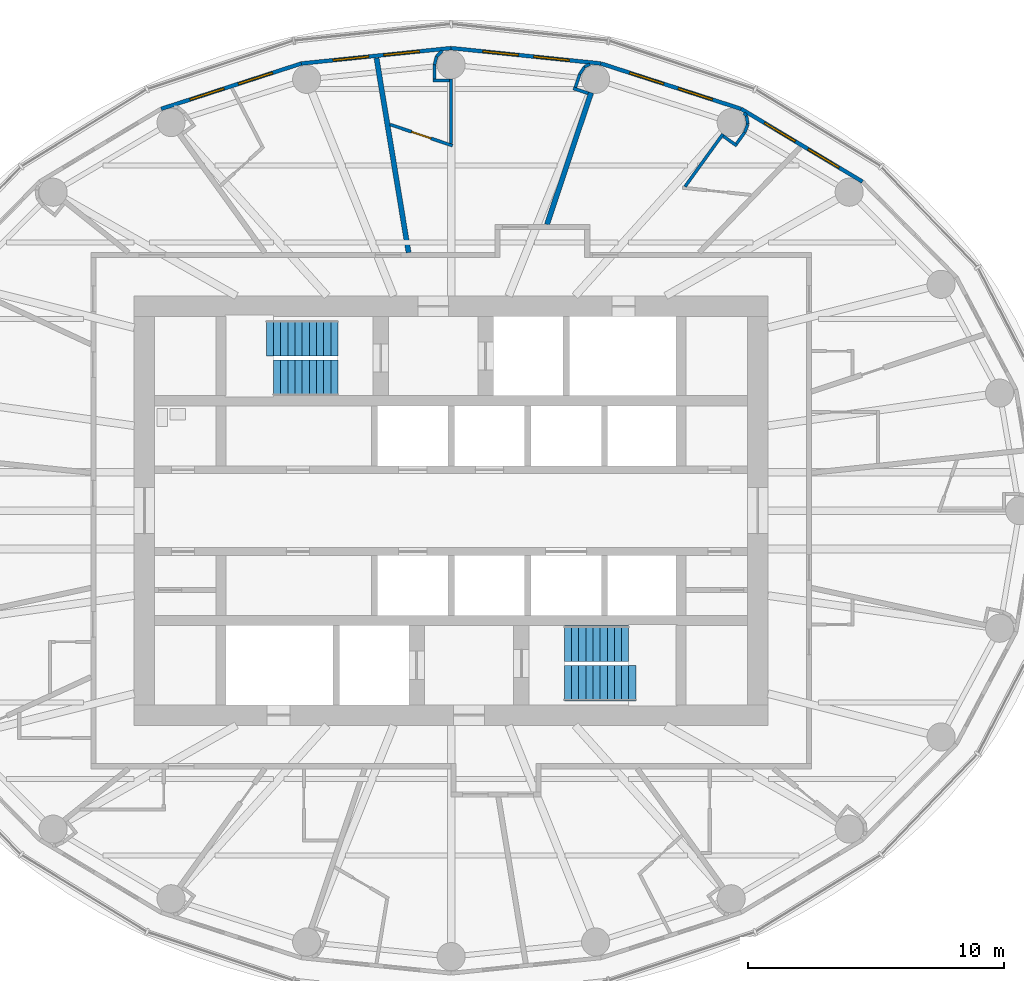
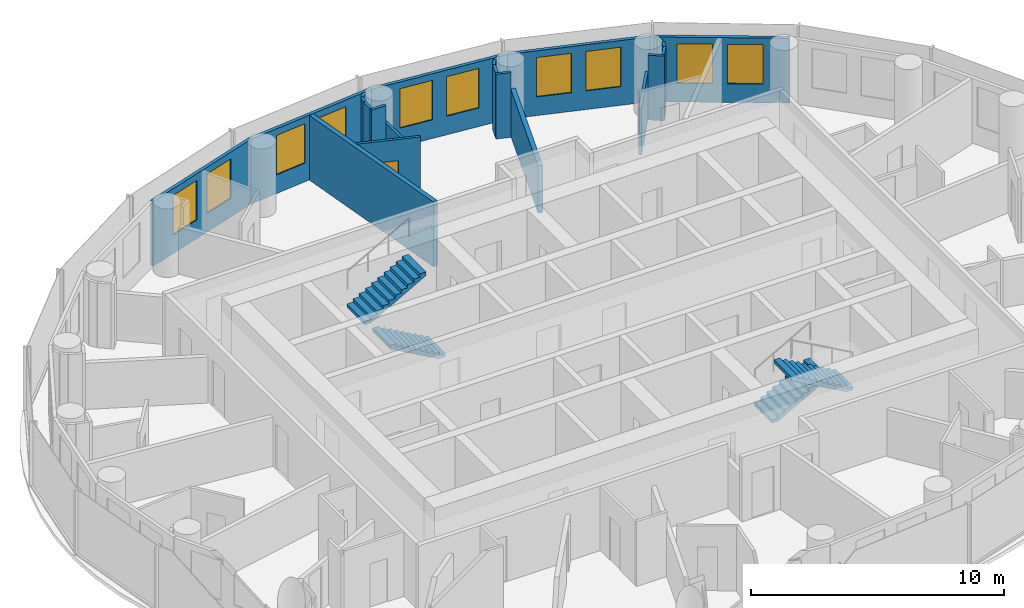
# One storey, part 12 of 14: 23 walls, 10 windows, 4 stair flights, 1 door, 11 openings, 2 elements without a shape of their own.
"""IFC4 building model written with IfcOpenShell, lengths in metres."""

from ifc_helpers import new_model, si_unit, direction, frame, frame_2d, origin, place, context, subcontext, project, spatial, polyline, rectangle, outline, extrude, material, layer, layer_set, type_object, element, fill, aggregate, save


model = new_model("IFC4")

# Units and contexts
model_context = context("Model", 3, precision=1e-05, world=origin(), true_north=direction((0.0, 1.0)))
body_context = subcontext(model_context, "Body", "Model", "MODEL_VIEW")
ifc_project = project(units=[si_unit("LENGTHUNIT", "METRE"), si_unit("AREAUNIT", "SQUARE_METRE"), si_unit("VOLUMEUNIT", "CUBIC_METRE"), si_unit("PLANEANGLEUNIT", "RADIAN"), si_unit("MASSUNIT", "GRAM", prefix="KILO")], contexts=[model_context])

# Site, building, storey
site_placement = place(None, origin())
site = spatial("IfcSite", under=ifc_project, at=site_placement, CompositionType="ELEMENT")
building_placement = place(site_placement, origin())
building = spatial("IfcBuilding", under=site, at=building_placement, Name="Hankou Lantern Tower", CompositionType="ELEMENT")
storey_placement = place(building_placement, frame((0.0, 0.0, 179.699951171875)))
storey = spatial("IfcBuildingStorey", under=building, at=storey_placement, Name="L48", CompositionType="ELEMENT", Elevation=179.699951171875)

# Wall, openings, windows
ifc_material_1 = material(Name="Aluminium spandrel panel on steel studs", Category="steel")
ifc_layer_1 = layer(ifc_material_1, 0.14990234375)
ifc_layer_set_1 = layer_set([ifc_layer_1], Name="Aluminium spandrel panel on steel studs")
wall_type_1 = type_object("IfcWallType", Name="EW1 INNER SKIN WALL 150", PredefinedType="ELEMENTEDWALL", material=ifc_layer_set_1)
wall_1_placement = place(storey_placement, frame((16.0947265625, 12.875732421875, 0.0), z_axis=(0.0, 0.0, 1.0), x_axis=(-0.857695199231, 0.514158482587, 0.0)))
wall_1 = element("IfcWall", 1, at=wall_1_placement, inside=storey, type_object=wall_type_1, Name="Inner skin R04-R05 L48", PredefinedType="ELEMENTEDWALL", context=body_context, shape_type="SweptSolid", body=[
    extrude(rectangle(XDim=5.5361328125, YDim=0.14990234375, at=frame_2d((2.76806640625, 0.0))), origin(), (0.0, 0.0, 1.0), 3.1201171875),
])
opening_1_placement = place(wall_1_placement, frame((1.068115234375, 0.0, 0.89990234375)))
opening_1 = element("IfcOpeningElement", 2, at=opening_1_placement, cuts=wall_1, Name="Opening W3", PredefinedType="OPENING", context=body_context, shape_type="SweptSolid", body=[
    extrude(rectangle(XDim=1.39990234375, YDim=1.89990234375, at=frame_2d((0.699951171875, 0.949951171875))), frame((0.0, 0.0849609375, 0.0), z_axis=(0.0, -1.0, 0.0), x_axis=(1.0, 0.0, 0.0)), (0.0, 0.0, 1.0), 0.169921875),
])
opening_2_placement = place(wall_1_placement, frame((3.068115234375, 0.0, 0.89990234375)))
opening_2 = element("IfcOpeningElement", 3, at=opening_2_placement, cuts=wall_1, Name="Opening W3", PredefinedType="OPENING", context=body_context, shape_type="SweptSolid", body=[
    extrude(rectangle(XDim=1.39990234375, YDim=1.89990234375, at=frame_2d((0.699951171875, 0.949951171875))), frame((0.0, 0.0849609375, 0.0), z_axis=(0.0, -1.0, 0.0), x_axis=(1.0, 0.0, 0.0)), (0.0, 0.0, 1.0), 0.169921875),
])
ifc_material_2 = material(Name="Aluminium framed double glazed window", Category="aluminium")
window_type = type_object("IfcWindowType", Name="W3 GUEST ROOM WINDOW 1400X1900", PartitioningType="DOUBLE_PANEL_VERTICAL", PredefinedType="WINDOW", material=ifc_material_2)
window_1_placement = place(opening_1_placement, origin())
window_1 = element("IfcWindow", 4, at=window_1_placement, inside=storey, type_object=window_type, Name="Window R04.1 L48", OverallHeight=1.89990234375, OverallWidth=1.39990234375, PartitioningType="SINGLE_PANEL", PredefinedType="WINDOW", context=body_context, shape_type="SweptSolid", body=[
    extrude(rectangle(XDim=1.39990234375, YDim=1.89990234375, at=frame_2d((0.699951171875, 0.949951171875))), frame((0.0, 0.030029296875, 0.0), z_axis=(0.0, -1.0, 0.0), x_axis=(1.0, 0.0, 0.0)), (0.0, 0.0, 1.0), 0.06005859375),
])
fill(opening_1, window_1)
window_2_placement = place(opening_2_placement, origin())
window_2 = element("IfcWindow", 5, at=window_2_placement, inside=storey, type_object=window_type, Name="Window R04.2 L48", OverallHeight=1.89990234375, OverallWidth=1.39990234375, PartitioningType="SINGLE_PANEL", PredefinedType="WINDOW", context=body_context, shape_type="SweptSolid", body=[
    extrude(rectangle(XDim=1.39990234375, YDim=1.89990234375, at=frame_2d((0.699951171875, 0.949951171875))), frame((0.0, 0.030029296875, 0.0), z_axis=(0.0, -1.0, 0.0), x_axis=(1.0, 0.0, 0.0)), (0.0, 0.0, 1.0), 0.06005859375),
])
fill(opening_2, window_2)

wall_2_placement = place(storey_placement, frame((11.346435546875, 15.72216796875, 0.0), z_axis=(0.0, 0.0, 1.0), x_axis=(-0.951432482129, 0.307857486429, 0.0)))
wall_2 = element("IfcWall", 6, at=wall_2_placement, inside=storey, type_object=wall_type_1, Name="Inner skin R05-R06 L48", PredefinedType="ELEMENTEDWALL", context=body_context, shape_type="SweptSolid", body=[
    extrude(rectangle(XDim=5.76611328125, YDim=0.14990234375, at=frame_2d((2.883056640625, 0.0))), origin(), (0.0, 0.0, 1.0), 3.1201171875),
])
opening_3_placement = place(wall_2_placement, frame((1.18310546875, 0.0, 0.89990234375)))
opening_3 = element("IfcOpeningElement", 7, at=opening_3_placement, cuts=wall_2, Name="Opening W3", PredefinedType="OPENING", context=body_context, shape_type="SweptSolid", body=[
    extrude(rectangle(XDim=1.39990234375, YDim=1.89990234375, at=frame_2d((0.699951171875, 0.949951171875))), frame((0.0, 0.0849609375, 0.0), z_axis=(0.0, -1.0, 0.0), x_axis=(1.0, 0.0, 0.0)), (0.0, 0.0, 1.0), 0.169921875),
])
opening_4_placement = place(wall_2_placement, frame((3.18310546875, 0.0, 0.89990234375)))
opening_4 = element("IfcOpeningElement", 8, at=opening_4_placement, cuts=wall_2, Name="Opening W3", PredefinedType="OPENING", context=body_context, shape_type="SweptSolid", body=[
    extrude(rectangle(XDim=1.39990234375, YDim=1.89990234375, at=frame_2d((0.699951171875, 0.949951171875))), frame((0.0, 0.0849609375, 0.0), z_axis=(0.0, -1.0, 0.0), x_axis=(1.0, 0.0, 0.0)), (0.0, 0.0, 1.0), 0.169921875),
])
window_3_placement = place(opening_3_placement, origin())
window_3 = element("IfcWindow", 9, at=window_3_placement, inside=storey, type_object=window_type, Name="Window R05.1 L48", OverallHeight=1.89990234375, OverallWidth=1.39990234375, PartitioningType="SINGLE_PANEL", PredefinedType="WINDOW", context=body_context, shape_type="SweptSolid", body=[
    extrude(rectangle(XDim=1.39990234375, YDim=1.89990234375, at=frame_2d((0.699951171875, 0.949951171875))), frame((0.0, 0.030029296875, 0.0), z_axis=(0.0, -1.0, 0.0), x_axis=(1.0, 0.0, 0.0)), (0.0, 0.0, 1.0), 0.06005859375),
])
fill(opening_3, window_3)
window_4_placement = place(opening_4_placement, origin())
window_4 = element("IfcWindow", 10, at=window_4_placement, inside=storey, type_object=window_type, Name="Window R05.2 L48", OverallHeight=1.89990234375, OverallWidth=1.39990234375, PartitioningType="SINGLE_PANEL", PredefinedType="WINDOW", context=body_context, shape_type="SweptSolid", body=[
    extrude(rectangle(XDim=1.39990234375, YDim=1.89990234375, at=frame_2d((0.699951171875, 0.949951171875))), frame((0.0, 0.030029296875, 0.0), z_axis=(0.0, -1.0, 0.0), x_axis=(1.0, 0.0, 0.0)), (0.0, 0.0, 1.0), 0.06005859375),
])
fill(opening_4, window_4)

wall_3_placement = place(storey_placement, frame((5.8603515625, 17.497314453125, 0.0), z_axis=(0.0, 0.0, 1.0), x_axis=(-0.994751738032, 0.102318032045, 0.0)))
wall_3 = element("IfcWall", 11, at=wall_3_placement, inside=storey, type_object=wall_type_1, Name="Inner skin R06-R07 L48", PredefinedType="ELEMENTEDWALL", context=body_context, shape_type="SweptSolid", body=[
    extrude(rectangle(XDim=5.891357421875, YDim=0.14990234375, at=frame_2d((2.94580078125, 0.0))), origin(), (0.0, 0.0, 1.0), 3.1201171875),
])
opening_5_placement = place(wall_3_placement, frame((1.24560546875, 0.0, 0.89990234375)))
opening_5 = element("IfcOpeningElement", 12, at=opening_5_placement, cuts=wall_3, Name="Opening W3", PredefinedType="OPENING", context=body_context, shape_type="SweptSolid", body=[
    extrude(rectangle(XDim=1.39990234375, YDim=1.89990234375, at=frame_2d((0.699951171875, 0.949951171875))), frame((0.0, 0.0849609375, 0.0), z_axis=(0.0, -1.0, 0.0), x_axis=(1.0, 0.0, 0.0)), (0.0, 0.0, 1.0), 0.169921875),
])
opening_6_placement = place(wall_3_placement, frame((3.24560546875, 0.0, 0.89990234375)))
opening_6 = element("IfcOpeningElement", 13, at=opening_6_placement, cuts=wall_3, Name="Opening W3", PredefinedType="OPENING", context=body_context, shape_type="SweptSolid", body=[
    extrude(rectangle(XDim=1.39990234375, YDim=1.89990234375, at=frame_2d((0.699951171875, 0.949951171875))), frame((0.0, 0.0849609375, 0.0), z_axis=(0.0, -1.0, 0.0), x_axis=(1.0, 0.0, 0.0)), (0.0, 0.0, 1.0), 0.169921875),
])
window_5_placement = place(opening_5_placement, origin())
window_5 = element("IfcWindow", 14, at=window_5_placement, inside=storey, type_object=window_type, Name="Window R06.1 L48", OverallHeight=1.89990234375, OverallWidth=1.39990234375, PartitioningType="SINGLE_PANEL", PredefinedType="WINDOW", context=body_context, shape_type="SweptSolid", body=[
    extrude(rectangle(XDim=1.39990234375, YDim=1.89990234375, at=frame_2d((0.699951171875, 0.949951171875))), frame((0.0, 0.030029296875, 0.0), z_axis=(0.0, -1.0, 0.0), x_axis=(1.0, 0.0, 0.0)), (0.0, 0.0, 1.0), 0.06005859375),
])
fill(opening_5, window_5)
window_6_placement = place(opening_6_placement, origin())
window_6 = element("IfcWindow", 15, at=window_6_placement, inside=storey, type_object=window_type, Name="Window R06.2 L48", OverallHeight=1.89990234375, OverallWidth=1.39990234375, PartitioningType="SINGLE_PANEL", PredefinedType="WINDOW", context=body_context, shape_type="SweptSolid", body=[
    extrude(rectangle(XDim=1.39990234375, YDim=1.89990234375, at=frame_2d((0.699951171875, 0.949951171875))), frame((0.0, 0.030029296875, 0.0), z_axis=(0.0, -1.0, 0.0), x_axis=(1.0, 0.0, 0.0)), (0.0, 0.0, 1.0), 0.06005859375),
])
fill(opening_6, window_6)

wall_4_placement = place(storey_placement, frame((0.0, 18.10009765625, 0.0), z_axis=(0.0, 0.0, 1.0), x_axis=(-0.994751738032, -0.102318032045, 0.0)))
wall_4 = element("IfcWall", 16, at=wall_4_placement, inside=storey, type_object=wall_type_1, Name="Inner skin R07-R08 L48", PredefinedType="ELEMENTEDWALL", context=body_context, shape_type="SweptSolid", body=[
    extrude(rectangle(XDim=5.891357421875, YDim=0.14990234375, at=frame_2d((2.94580078125, 0.0))), origin(), (0.0, 0.0, 1.0), 3.1201171875),
])
opening_7_placement = place(wall_4_placement, frame((1.24560546875, 0.0, 0.89990234375)))
opening_7 = element("IfcOpeningElement", 17, at=opening_7_placement, cuts=wall_4, Name="Opening W3", PredefinedType="OPENING", context=body_context, shape_type="SweptSolid", body=[
    extrude(rectangle(XDim=1.39990234375, YDim=1.89990234375, at=frame_2d((0.699951171875, 0.949951171875))), frame((0.0, 0.0849609375, 0.0), z_axis=(0.0, -1.0, 0.0), x_axis=(1.0, 0.0, 0.0)), (0.0, 0.0, 1.0), 0.169921875),
])
opening_8_placement = place(wall_4_placement, frame((3.24560546875, 0.0, 0.89990234375)))
opening_8 = element("IfcOpeningElement", 18, at=opening_8_placement, cuts=wall_4, Name="Opening W3", PredefinedType="OPENING", context=body_context, shape_type="SweptSolid", body=[
    extrude(rectangle(XDim=1.39990234375, YDim=1.89990234375, at=frame_2d((0.699951171875, 0.949951171875))), frame((0.0, 0.0849609375, 0.0), z_axis=(0.0, -1.0, 0.0), x_axis=(1.0, 0.0, 0.0)), (0.0, 0.0, 1.0), 0.169921875),
])
window_7_placement = place(opening_7_placement, origin())
window_7 = element("IfcWindow", 19, at=window_7_placement, inside=storey, type_object=window_type, Name="Window R07.1 L48", OverallHeight=1.89990234375, OverallWidth=1.39990234375, PartitioningType="SINGLE_PANEL", PredefinedType="WINDOW", context=body_context, shape_type="SweptSolid", body=[
    extrude(rectangle(XDim=1.39990234375, YDim=1.89990234375, at=frame_2d((0.699951171875, 0.949951171875))), frame((0.0, 0.030029296875, 0.0), z_axis=(0.0, -1.0, 0.0), x_axis=(1.0, 0.0, 0.0)), (0.0, 0.0, 1.0), 0.06005859375),
])
fill(opening_7, window_7)
window_8_placement = place(opening_8_placement, origin())
window_8 = element("IfcWindow", 20, at=window_8_placement, inside=storey, type_object=window_type, Name="Window R07.2 L48", OverallHeight=1.89990234375, OverallWidth=1.39990234375, PartitioningType="SINGLE_PANEL", PredefinedType="WINDOW", context=body_context, shape_type="SweptSolid", body=[
    extrude(rectangle(XDim=1.39990234375, YDim=1.89990234375, at=frame_2d((0.699951171875, 0.949951171875))), frame((0.0, 0.030029296875, 0.0), z_axis=(0.0, -1.0, 0.0), x_axis=(1.0, 0.0, 0.0)), (0.0, 0.0, 1.0), 0.06005859375),
])
fill(opening_8, window_8)

wall_5_placement = place(storey_placement, frame((-5.8603515625, 17.497314453125, 0.0), z_axis=(0.0, 0.0, 1.0), x_axis=(-0.951432482129, -0.307857486429, 0.0)))
wall_5 = element("IfcWall", 21, at=wall_5_placement, inside=storey, type_object=wall_type_1, Name="Inner skin R08-R09 L48", PredefinedType="ELEMENTEDWALL", context=body_context, shape_type="SweptSolid", body=[
    extrude(rectangle(XDim=5.76611328125, YDim=0.14990234375, at=frame_2d((2.883056640625, 0.0))), origin(), (0.0, 0.0, 1.0), 3.1201171875),
])
opening_9_placement = place(wall_5_placement, frame((1.18310546875, 0.0, 0.89990234375)))
opening_9 = element("IfcOpeningElement", 22, at=opening_9_placement, cuts=wall_5, Name="Opening W3", PredefinedType="OPENING", context=body_context, shape_type="SweptSolid", body=[
    extrude(rectangle(XDim=1.39990234375, YDim=1.89990234375, at=frame_2d((0.699951171875, 0.949951171875))), frame((0.0, 0.0849609375, 0.0), z_axis=(0.0, -1.0, 0.0), x_axis=(1.0, 0.0, 0.0)), (0.0, 0.0, 1.0), 0.169921875),
])
opening_10_placement = place(wall_5_placement, frame((3.18310546875, 0.0, 0.89990234375)))
opening_10 = element("IfcOpeningElement", 23, at=opening_10_placement, cuts=wall_5, Name="Opening W3", PredefinedType="OPENING", context=body_context, shape_type="SweptSolid", body=[
    extrude(rectangle(XDim=1.39990234375, YDim=1.89990234375, at=frame_2d((0.699951171875, 0.949951171875))), frame((0.0, 0.0849609375, 0.0), z_axis=(0.0, -1.0, 0.0), x_axis=(1.0, 0.0, 0.0)), (0.0, 0.0, 1.0), 0.169921875),
])
window_9_placement = place(opening_9_placement, origin())
window_9 = element("IfcWindow", 24, at=window_9_placement, inside=storey, type_object=window_type, Name="Window R08.1 L48", OverallHeight=1.89990234375, OverallWidth=1.39990234375, PartitioningType="SINGLE_PANEL", PredefinedType="WINDOW", context=body_context, shape_type="SweptSolid", body=[
    extrude(rectangle(XDim=1.39990234375, YDim=1.89990234375, at=frame_2d((0.699951171875, 0.949951171875))), frame((0.0, 0.030029296875, 0.0), z_axis=(0.0, -1.0, 0.0), x_axis=(1.0, 0.0, 0.0)), (0.0, 0.0, 1.0), 0.06005859375),
])
fill(opening_9, window_9)
window_10_placement = place(opening_10_placement, origin())
window_10 = element("IfcWindow", 25, at=window_10_placement, inside=storey, type_object=window_type, Name="Window R08.2 L48", OverallHeight=1.89990234375, OverallWidth=1.39990234375, PartitioningType="SINGLE_PANEL", PredefinedType="WINDOW", context=body_context, shape_type="SweptSolid", body=[
    extrude(rectangle(XDim=1.39990234375, YDim=1.89990234375, at=frame_2d((0.699951171875, 0.949951171875))), frame((0.0, 0.030029296875, 0.0), z_axis=(0.0, -1.0, 0.0), x_axis=(1.0, 0.0, 0.0)), (0.0, 0.0, 1.0), 0.06005859375),
])
fill(opening_10, window_10)

# Walls
ifc_material_3 = material(Name="Masonry lightweight concrete block", Category="masonry")
ifc_layer_2 = layer(ifc_material_3, 0.199951171875)
ifc_layer_set_2 = layer_set([ifc_layer_2], Name="Masonry lightweight concrete block")
wall_type_2 = type_object("IfcWallType", Name="IW1 GUEST ROOM PARTY WALL 200", PredefinedType="PARTITIONING", material=ifc_layer_set_2)
wall_6_placement = place(storey_placement, frame((3.751220703125, 11.199951171875, 0.0), z_axis=(0.0, 0.0, 1.0), x_axis=(0.317614803807, 0.948219824937, 0.0)))
element("IfcWall", 26, at=wall_6_placement, inside=storey, type_object=wall_type_2, Name="Party wall R06", PredefinedType="PARTITIONING", context=body_context, shape_type="SweptSolid", body=[
    extrude(rectangle(XDim=5.4375, YDim=0.199951171875, at=frame_2d((2.71875, 0.0))), origin(), (0.0, 0.0, 1.0), 2.27001953125),
])
wall_7_placement = place(storey_placement, frame((-1.66552734375, 10.10009765625, 0.0), z_axis=(0.0, 0.0, 1.0), x_axis=(-0.162669562982, 0.986680603478, 0.0)))
element("IfcWall", 27, at=wall_7_placement, inside=storey, type_object=wall_type_2, Name="Party wall R07-R08", PredefinedType="PARTITIONING", context=body_context, shape_type="SweptSolid", body=[
    extrude(rectangle(XDim=7.7158203125, YDim=0.199951171875, at=frame_2d((3.85791015625, 0.0))), origin(), (0.0, 0.0, 1.0), 3.1201171875),
])
ifc_material_4 = material(Name="Masonry lightweight concrete block", Category="masonry")
ifc_layer_3 = layer(ifc_material_4, 0.1201171875)
ifc_layer_set_3 = layer_set([ifc_layer_3], Name="Masonry lightweight concrete block")
wall_type_3 = type_object("IfcWallType", Name="IW3 BATHROOM WALL 120", PredefinedType="PARTITIONING", material=ifc_layer_set_3)
wall_8_placement = place(storey_placement, frame((9.1513671875, 12.6806640625, 0.0), z_axis=(0.0, 0.0, 1.0), x_axis=(0.585258912334, 0.8108464747, 0.0)))
element("IfcWall", 28, at=wall_8_placement, inside=storey, type_object=wall_type_3, Name="Box wall 4808 2", PredefinedType="PARTITIONING", context=body_context, shape_type="SweptSolid", body=[
    extrude(rectangle(XDim=2.5400390625, YDim=0.1201171875, at=frame_2d((1.27001953125, 0.0))), origin(), (0.0, 0.0, 1.0), 2.27001953125),
])
wall_9_placement = place(storey_placement, frame((10.6513671875, 14.656494140625, 0.0), z_axis=(0.0, 0.0, 1.0), x_axis=(0.810916094797, -0.585162445137, 0.0)))
element("IfcWall", 29, at=wall_9_placement, inside=storey, type_object=wall_type_3, Name="Column casing 4808 return", PredefinedType="PARTITIONING", context=body_context, shape_type="SweptSolid", body=[
    extrude(rectangle(XDim=0.652099609375, YDim=0.1201171875, at=frame_2d((0.326171875, 0.0))), origin(), (0.0, 0.0, 1.0), 3.1201171875),
])
wall_10_placement = place(storey_placement, frame((11.166748046875, 14.358642578125, 0.0), z_axis=(0.0, 0.0, 1.0), x_axis=(0.585263549799, 0.810843127415, 0.0)))
element("IfcWall", 30, at=wall_10_placement, inside=storey, type_object=wall_type_3, Name="Column casing 4808", PredefinedType="PARTITIONING", context=body_context, shape_type="SweptSolid", body=[
    extrude(rectangle(XDim=0.5498046875, YDim=0.1201171875, at=frame_2d((0.27490234375, 0.0))), origin(), (0.0, 0.0, 1.0), 3.1201171875),
])
for number, where, z_axis, x_axis, name in (
    (31, (11.488525390625, 14.804443359375, 0.0), (0.0, 0.0, 1.0), (0.355634599475, 0.934625075448, 0.0), "Column casing 4808"),
    (32, (11.608642578125, 15.1201171875, 0.0), (0.0, 0.0, 1.0), (-0.159823572519, 0.987145594969, 0.0), "Column casing 4808"),
):
    element("IfcWall", number, at=place(storey_placement, frame(where, z_axis=z_axis, x_axis=x_axis)), inside=storey, type_object=wall_type_3, Name=name, PredefinedType="PARTITIONING", context=body_context, shape_type="SweptSolid", body=[
        extrude(rectangle(XDim=0.337646484375, YDim=0.1201171875, at=frame_2d((0.1689453125, 0.0))), origin(), (0.0, 0.0, 1.0), 3.1201171875),
    ])
wall_11_placement = place(storey_placement, frame((11.5546875, 15.453369140625, 0.0), z_axis=(0.0, 0.0, 1.0), x_axis=(-0.631711901025, 0.775203246964, 0.0)))
element("IfcWall", 33, at=wall_11_placement, inside=storey, type_object=wall_type_3, Name="Column casing 4808", PredefinedType="PARTITIONING", context=body_context, shape_type="SweptSolid", body=[
    extrude(rectangle(XDim=0.139404296875, YDim=0.1201171875, at=frame_2d((0.06982421875, 0.0))), origin(), (0.0, 0.0, 1.0), 3.1201171875),
])

# Wall, opening, door
wall_12_placement = place(storey_placement, frame((-2.390380859375, 15.111328125, 0.0), z_axis=(0.0, 0.0, 1.0), x_axis=(0.946949953534, -0.321381059649, 0.0)))
wall_12 = element("IfcWall", 34, at=wall_12_placement, inside=storey, type_object=wall_type_3, Name="Box wall 4809 1", PredefinedType="PARTITIONING", context=body_context, shape_type="SweptSolid", body=[
    extrude(rectangle(XDim=2.58447265625, YDim=0.1201171875, at=frame_2d((1.292236328125, 0.0))), origin(), (0.0, 0.0, 1.0), 3.1201171875),
])
opening_11_placement = place(wall_12_placement, frame((0.89208984375, 0.0, 0.0)))
opening_11 = element("IfcOpeningElement", 35, at=opening_11_placement, cuts=wall_12, Name="Opening D3", PredefinedType="OPENING", context=body_context, shape_type="SweptSolid", body=[
    extrude(rectangle(XDim=0.800048828125, YDim=2.10009765625, at=frame_2d((0.39990234375, 1.050048828125))), frame((0.0, 0.070068359375, 0.0), z_axis=(0.0, -1.0, 0.0), x_axis=(1.0, 0.0, 0.0)), (0.0, 0.0, 1.0), 0.14013671875),
])
ifc_material_5 = material(Name="Timber door leaf", Category="wood")
door_type = type_object("IfcDoorType", Name="D3 BATHROOM DOOR 800X2100", OperationType="SINGLE_SWING_LEFT", PredefinedType="DOOR", material=ifc_material_5)
door_placement = place(opening_11_placement, origin())
door = element("IfcDoor", 36, at=door_placement, inside=storey, type_object=door_type, Name="En-suite bathroom 4809 door", OperationType="SINGLE_SWING_RIGHT", OverallHeight=2.10009765625, OverallWidth=0.800048828125, PredefinedType="DOOR", context=body_context, shape_type="SweptSolid", body=[
    extrude(rectangle(XDim=0.800048828125, YDim=2.10009765625, at=frame_2d((0.39990234375, 1.050048828125))), frame((0.0, 0.02490234375, 0.0), z_axis=(0.0, -1.0, 0.0), x_axis=(1.0, 0.0, 0.0)), (0.0, 0.0, 1.0), 0.050048828125),
])
fill(opening_11, door)

# Walls
wall_13_placement = place(storey_placement, frame((0.0, 14.360107421875, 0.0), z_axis=(0.0, 0.0, 1.0), x_axis=(0.0, 1.0, 0.0)))
element("IfcWall", 37, at=wall_13_placement, inside=storey, type_object=wall_type_3, Name="Box wall 4809 2", PredefinedType="PARTITIONING", context=body_context, shape_type="SweptSolid", body=[
    extrude(rectangle(XDim=2.539794921875, YDim=0.1201171875, at=frame_2d((1.27001953125, 0.0))), origin(), (0.0, 0.0, 1.0), 2.27001953125),
])
wall_14_placement = place(storey_placement, frame((-0.06005859375, 16.840087890625, 0.0), z_axis=(0.0, 0.0, 1.0), x_axis=(-1.0, 0.0, 0.0)))
element("IfcWall", 38, at=wall_14_placement, inside=storey, type_object=wall_type_3, Name="Column casing 4809 return", PredefinedType="PARTITIONING", context=body_context, shape_type="SweptSolid", body=[
    extrude(rectangle(XDim=0.652099609375, YDim=0.1201171875, at=frame_2d((0.326171875, 0.0))), origin(), (0.0, 0.0, 1.0), 3.1201171875),
])
wall_15_placement = place(storey_placement, frame((-0.65234375, 16.89990234375, 0.0), z_axis=(0.0, 0.0, 1.0), x_axis=(0.0, 1.0, 0.0)))
element("IfcWall", 39, at=wall_15_placement, inside=storey, type_object=wall_type_3, Name="Column casing 4809", PredefinedType="PARTITIONING", context=body_context, shape_type="SweptSolid", body=[
    extrude(rectangle(XDim=0.550048828125, YDim=0.1201171875, at=frame_2d((0.27490234375, 0.0))), origin(), (0.0, 0.0, 1.0), 3.1201171875),
])
wall_16_placement = place(storey_placement, frame((-0.65234375, 17.449951171875, 0.0), z_axis=(0.0, 0.0, 1.0), x_axis=(0.258832454679, 0.965922233104, 0.0)))
element("IfcWall", 40, at=wall_16_placement, inside=storey, type_object=wall_type_3, Name="Column casing 4809", PredefinedType="PARTITIONING", context=body_context, shape_type="SweptSolid", body=[
    extrude(rectangle(XDim=0.337646484375, YDim=0.1201171875, at=frame_2d((0.1689453125, 0.0))), origin(), (0.0, 0.0, 1.0), 3.1201171875),
])
wall_17_placement = place(storey_placement, frame((-0.56494140625, 17.776123046875, 0.0), z_axis=(0.0, 0.0, 1.0), x_axis=(0.707106781187, 0.707106781187, 0.0)))
element("IfcWall", 41, at=wall_17_placement, inside=storey, type_object=wall_type_3, Name="Column casing 4809", PredefinedType="PARTITIONING", context=body_context, shape_type="SweptSolid", body=[
    extrude(rectangle(XDim=0.30078125, YDim=0.1201171875, at=frame_2d((0.150390625, 0.0))), origin(), (0.0, 0.0, 1.0), 3.1201171875),
])
ifc_material_6 = material(Name="Masonry lightweight concrete block", Category="masonry")
ifc_layer_4 = layer(ifc_material_6, 0.1201171875)
ifc_layer_set_4 = layer_set([ifc_layer_4], Name="Masonry lightweight concrete block")
wall_type_4 = type_object("IfcWallType", Name="IW4 PARTITION 120", PredefinedType="PARTITIONING", material=ifc_layer_set_4)
wall_18_placement = place(storey_placement, frame((5.3642578125, 16.330810546875, 0.0), z_axis=(0.0, 0.0, 1.0), x_axis=(-0.948283770087, 0.317423835572, 0.0)))
element("IfcWall", 42, at=wall_18_placement, inside=storey, type_object=wall_type_4, Name="Column casing R06 return", PredefinedType="PARTITIONING", context=body_context, shape_type="SweptSolid", body=[
    extrude(rectangle(XDim=0.6123046875, YDim=0.1201171875, at=frame_2d((0.30615234375, 0.0))), origin(), (0.0, 0.0, 1.0), 3.1201171875),
])
wall_19_placement = place(storey_placement, frame((4.859619140625, 16.56298828125, 0.0), z_axis=(0.0, 0.0, 1.0), x_axis=(0.317825321803, 0.948149284038, 0.0)))
element("IfcWall", 43, at=wall_19_placement, inside=storey, type_object=wall_type_4, Name="Column casing R06", PredefinedType="PARTITIONING", context=body_context, shape_type="SweptSolid", body=[
    extrude(rectangle(XDim=0.550048828125, YDim=0.1201171875, at=frame_2d((0.27490234375, 0.0))), origin(), (0.0, 0.0, 1.0), 3.1201171875),
])
wall_20_placement = place(storey_placement, frame((5.034423828125, 17.08447265625, 0.0), z_axis=(0.0, 0.0, 1.0), x_axis=(0.552362205726, 0.833604218851, 0.0)))
element("IfcWall", 44, at=wall_20_placement, inside=storey, type_object=wall_type_4, Name="Column casing R06", PredefinedType="PARTITIONING", context=body_context, shape_type="SweptSolid", body=[
    extrude(rectangle(XDim=0.337646484375, YDim=0.1201171875, at=frame_2d((0.1689453125, 0.0))), origin(), (0.0, 0.0, 1.0), 3.1201171875),
])
wall_21_placement = place(storey_placement, frame((5.220947265625, 17.365966796875, 0.0), z_axis=(0.0, 0.0, 1.0), x_axis=(0.895067896179, 0.445929883759, 0.0)))
element("IfcWall", 45, at=wall_21_placement, inside=storey, type_object=wall_type_4, Name="Column casing R06", PredefinedType="PARTITIONING", context=body_context, shape_type="SweptSolid", body=[
    extrude(rectangle(XDim=0.228271484375, YDim=0.1201171875, at=frame_2d((0.1142578125, 0.0))), origin(), (0.0, 0.0, 1.0), 3.1201171875),
])

# Stair, stair flight
ifc_material_7 = material(Name="Concrete C40", Category="concrete")
stair_type = type_object("IfcStairType", Name="ST33 CORE STAIR 3300 RISE", PredefinedType="HALF_TURN_STAIR", material=ifc_material_7)
stair_1_placement = place(storey_placement, origin())
stair_1 = element("IfcStair", 46, at=stair_1_placement, inside=storey, type_object=stair_type, Name="Stair STA L48", PredefinedType="HALF_TURN_STAIR")
ifc_material_8 = material(Name="Concrete C40", Category="concrete")
stair_flight_type_1 = type_object("IfcStairFlightType", Name="CF10 CORE STAIR FLIGHT 1400 X 10 RISERS", PredefinedType="STRAIGHT", material=ifc_material_8)
stair_flight_1_placement = place(storey_placement, frame((-4.429931640625, 5.199951171875, 0.0), z_axis=(0.0, 0.0, 1.0), x_axis=(-1.0, 0.0, 0.0)))
stair_flight_1 = element("IfcStairFlight", 47, at=stair_flight_1_placement, type_object=stair_flight_type_1, Name="STA flight 1", NumberOfRisers=10, NumberOfTreads=9, PredefinedType="STRAIGHT", RiserHeight=0.157142857, TreadLength=0.28, context=body_context, shape_type="SweptSolid", body=[
    extrude(outline(polyline([(0.0, 0.0), (0.0, 0.1572265625), (0.280029296875, 0.1572265625), (0.280029296875, 0.314208984375), (0.56005859375, 0.314208984375), (0.56005859375, 0.471435546875), (0.840087890625, 0.471435546875), (0.840087890625, 0.628662109375), (1.1201171875, 0.628662109375), (1.1201171875, 0.78564453125), (1.39990234375, 0.78564453125), (1.39990234375, 0.94287109375), (1.679931640625, 0.94287109375), (1.679931640625, 1.10009765625), (1.9599609375, 1.10009765625), (1.9599609375, 1.257080078125), (2.239990234375, 1.257080078125), (2.239990234375, 1.414306640625), (2.52001953125, 1.414306640625), (2.52001953125, 1.571533203125), (2.52001953125, 1.242431640625), (0.306396484375, 0.0), (0.0, 0.0)])), frame((0.0, 0.699951171875, 0.0), z_axis=(0.0, -1.0, 0.0), x_axis=(1.0, 0.0, 0.0)), (0.0, 0.0, 1.0), 1.39990234375),
])

stair_2_placement = place(storey_placement, origin())
stair_2 = element("IfcStair", 48, at=stair_2_placement, inside=storey, type_object=stair_type, Name="Stair STB L48", PredefinedType="HALF_TURN_STAIR")
stair_flight_2_placement = place(storey_placement, frame((4.429931640625, -5.199951171875, 0.0), z_axis=(0.0, 0.0, 1.0), x_axis=(1.0, 0.0, 0.0)))
stair_flight_2 = element("IfcStairFlight", 49, at=stair_flight_2_placement, type_object=stair_flight_type_1, Name="STB flight 1", NumberOfRisers=10, NumberOfTreads=9, PredefinedType="STRAIGHT", RiserHeight=0.157142857, TreadLength=0.28, context=body_context, shape_type="SweptSolid", body=[
    extrude(outline(polyline([(0.0, 0.0), (0.0, 0.1572265625), (0.280029296875, 0.1572265625), (0.280029296875, 0.314208984375), (0.56005859375, 0.314208984375), (0.56005859375, 0.471435546875), (0.840087890625, 0.471435546875), (0.840087890625, 0.628662109375), (1.1201171875, 0.628662109375), (1.1201171875, 0.78564453125), (1.39990234375, 0.78564453125), (1.39990234375, 0.94287109375), (1.679931640625, 0.94287109375), (1.679931640625, 1.10009765625), (1.9599609375, 1.10009765625), (1.9599609375, 1.257080078125), (2.239990234375, 1.257080078125), (2.239990234375, 1.414306640625), (2.52001953125, 1.414306640625), (2.52001953125, 1.571533203125), (2.52001953125, 1.242431640625), (0.306396484375, 0.0), (0.0, 0.0)])), frame((0.0, 0.699951171875, 0.0), z_axis=(0.0, -1.0, 0.0), x_axis=(1.0, 0.0, 0.0)), (0.0, 0.0, 1.0), 1.39990234375),
])

# Stair flight
ifc_material_9 = material(Name="Concrete C40", Category="concrete")
stair_flight_type_2 = type_object("IfcStairFlightType", Name="CF11 CORE STAIR FLIGHT 1400 X 11 RISERS", PredefinedType="STRAIGHT", material=ifc_material_9)
stair_flight_3_placement = place(storey_placement, frame((-7.22998046875, 6.75, 1.571533203125), z_axis=(0.0, 0.0, 1.0), x_axis=(1.0, 0.0, 0.0)))
stair_flight_3 = element("IfcStairFlight", 50, at=stair_flight_3_placement, type_object=stair_flight_type_2, Name="STA flight 2", NumberOfRisers=11, NumberOfTreads=10, PredefinedType="STRAIGHT", RiserHeight=0.157142857, TreadLength=0.28, context=body_context, shape_type="SweptSolid", body=[
    extrude(outline(polyline([(0.0, 0.0), (0.0, 0.1572265625), (0.280029296875, 0.1572265625), (0.280029296875, 0.314208984375), (0.56005859375, 0.314208984375), (0.56005859375, 0.471435546875), (0.840087890625, 0.471435546875), (0.840087890625, 0.628662109375), (1.1201171875, 0.628662109375), (1.1201171875, 0.78564453125), (1.39990234375, 0.78564453125), (1.39990234375, 0.94287109375), (1.679931640625, 0.94287109375), (1.679931640625, 1.10009765625), (1.9599609375, 1.10009765625), (1.9599609375, 1.257080078125), (2.239990234375, 1.257080078125), (2.239990234375, 1.414306640625), (2.52001953125, 1.414306640625), (2.52001953125, 1.571533203125), (2.800048828125, 1.571533203125), (2.800048828125, 1.728515625), (2.800048828125, 1.3994140625), (0.306396484375, 0.0), (0.0, 0.0)])), frame((0.0, 0.699951171875, 0.0), z_axis=(0.0, -1.0, 0.0), x_axis=(1.0, 0.0, 0.0)), (0.0, 0.0, 1.0), 1.39990234375),
])

aggregate(stair_1, [stair_flight_1, stair_flight_3])

stair_flight_4_placement = place(storey_placement, frame((7.22998046875, -6.75, 1.571533203125), z_axis=(0.0, 0.0, 1.0), x_axis=(-1.0, 0.0, 0.0)))
stair_flight_4 = element("IfcStairFlight", 51, at=stair_flight_4_placement, type_object=stair_flight_type_2, Name="STB flight 2", NumberOfRisers=11, NumberOfTreads=10, PredefinedType="STRAIGHT", RiserHeight=0.157142857, TreadLength=0.28, context=body_context, shape_type="SweptSolid", body=[
    extrude(outline(polyline([(0.0, 0.0), (0.0, 0.1572265625), (0.280029296875, 0.1572265625), (0.280029296875, 0.314208984375), (0.56005859375, 0.314208984375), (0.56005859375, 0.471435546875), (0.840087890625, 0.471435546875), (0.840087890625, 0.628662109375), (1.1201171875, 0.628662109375), (1.1201171875, 0.78564453125), (1.39990234375, 0.78564453125), (1.39990234375, 0.94287109375), (1.679931640625, 0.94287109375), (1.679931640625, 1.10009765625), (1.9599609375, 1.10009765625), (1.9599609375, 1.257080078125), (2.239990234375, 1.257080078125), (2.239990234375, 1.414306640625), (2.52001953125, 1.414306640625), (2.52001953125, 1.571533203125), (2.800048828125, 1.571533203125), (2.800048828125, 1.728515625), (2.800048828125, 1.3994140625), (0.306396484375, 0.0), (0.0, 0.0)])), frame((0.0, 0.699951171875, 0.0), z_axis=(0.0, -1.0, 0.0), x_axis=(1.0, 0.0, 0.0)), (0.0, 0.0, 1.0), 1.39990234375),
])

aggregate(stair_2, [stair_flight_2, stair_flight_4])

save(model, "model.ifc")
